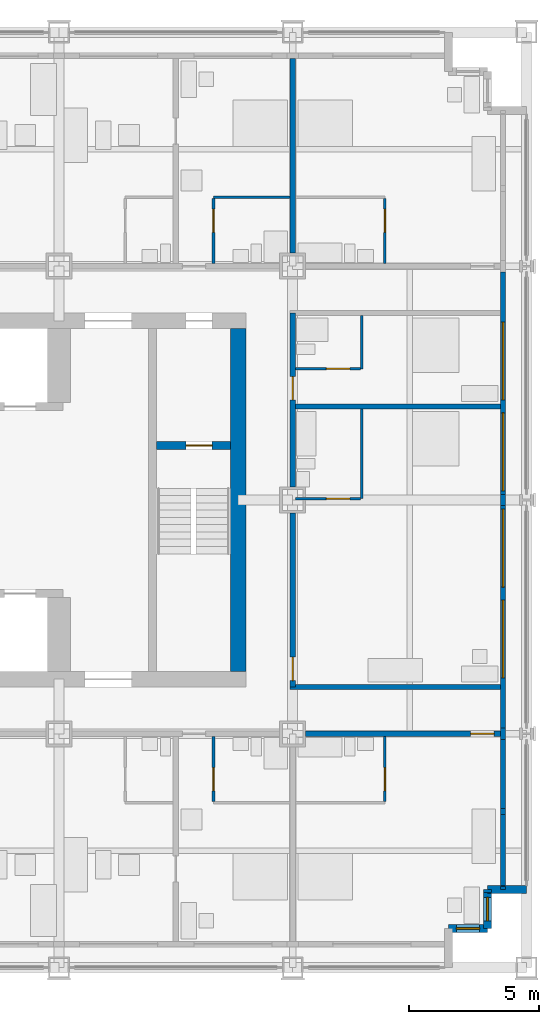
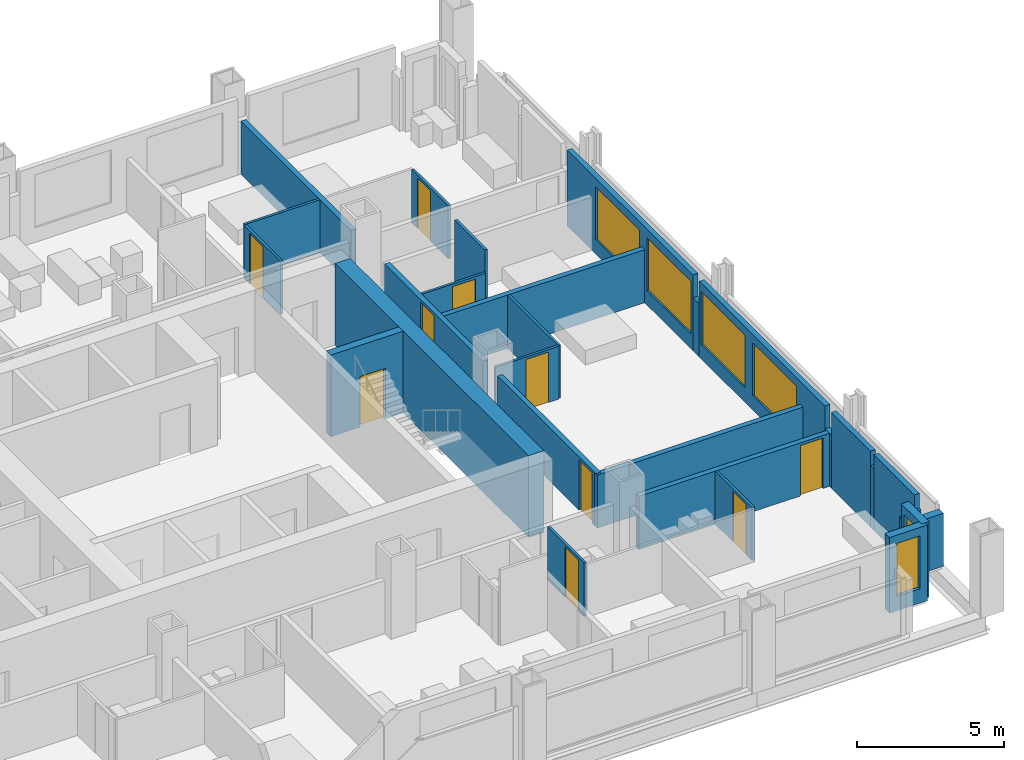
# One storey, part 12 of 17: 29 walls, 10 doors, 6 windows, 16 openings.
"""IFC4 building model written with IfcOpenShell, lengths in metres."""

from ifc_helpers import new_model, si_unit, direction, frame, frame_2d, origin, place, context, subcontext, project, spatial, rectangle, extrude, material, layer, layer_set, type_object, element, fill, save


model = new_model("IFC4")

# Units and contexts
model_context = context("Model", 3, precision=1e-05, world=origin(), true_north=direction((0.0, 1.0)))
body_context = subcontext(model_context, "Body", "Model", "MODEL_VIEW")
ifc_project = project(units=[si_unit("LENGTHUNIT", "METRE"), si_unit("AREAUNIT", "SQUARE_METRE"), si_unit("VOLUMEUNIT", "CUBIC_METRE"), si_unit("PLANEANGLEUNIT", "RADIAN"), si_unit("MASSUNIT", "GRAM", prefix="KILO")], contexts=[model_context])

# Site, building, storey
site_placement = place(None, origin())
site = spatial("IfcSite", under=ifc_project, at=site_placement, CompositionType="ELEMENT")
building_placement = place(site_placement, origin())
building = spatial("IfcBuilding", under=site, at=building_placement, Name="Loomwork Tower", CompositionType="ELEMENT")
storey_placement = place(building_placement, frame((0.0, 0.0, 152.0)))
storey = spatial("IfcBuildingStorey", under=building, at=storey_placement, Name="L41", CompositionType="ELEMENT", Elevation=152.0)

# Wall, opening, door
ifc_material_1 = material(Name="Concrete 14000 psi (97 MPa)", Category="concrete")
ifc_layer_1 = layer(ifc_material_1, 0.300048828125)
ifc_layer_set_1 = layer_set([ifc_layer_1], Name="Core shear wall 300")
wall_type_1 = type_object("IfcWallType", Name="Core shear wall 300", PredefinedType="SHEAR", material=ifc_layer_set_1)
wall_1_placement = place(storey_placement, frame((30.75, 20.10009765625, 0.0), z_axis=(0.0, 0.0, 1.0), x_axis=(1.0, 0.0, 0.0)))
wall_1 = element("IfcWall", 1, at=wall_1_placement, inside=storey, type_object=wall_type_1, Name="Stair B north wall L41", PredefinedType="SHEAR", context=body_context, shape_type="SweptSolid", body=[
    extrude(rectangle(XDim=2.85009765625, YDim=0.300048828125, at=frame_2d((1.425048828125, 0.0))), origin(), (0.0, 0.0, 1.0), 3.39990234375),
])
opening_1_placement = place(wall_1_placement, frame((1.14990234375, 0.0, 0.0)))
opening_1 = element("IfcOpeningElement", 2, at=opening_1_placement, cuts=wall_1, Name="Opening D4", PredefinedType="OPENING", context=body_context, shape_type="SweptSolid", body=[
    extrude(rectangle(XDim=1.0, YDim=2.10009765625, at=frame_2d((0.5, 1.050048828125))), frame((0.0, 0.159912109375, 0.0), z_axis=(0.0, -1.0, 0.0), x_axis=(1.0, 0.0, 0.0)), (0.0, 0.0, 1.0), 0.320068359375),
])
ifc_material_2 = material(Name="Hollow metal door and frame")
door_type_1 = type_object("IfcDoorType", Name="Stair door 1000", OperationType="SINGLE_SWING_RIGHT", PredefinedType="DOOR", material=ifc_material_2)
door_1_placement = place(opening_1_placement, frame((1.0, 0.0, 0.0), z_axis=(0.0, 0.0, 1.0), x_axis=(-1.0, 0.0, 0.0)))
door_1 = element("IfcDoor", 3, at=door_1_placement, inside=storey, type_object=door_type_1, Name="Stair B door", OperationType="SINGLE_SWING_LEFT", OverallHeight=2.10009765625, OverallWidth=1.0, PredefinedType="DOOR", context=body_context, shape_type="SweptSolid", body=[
    extrude(rectangle(XDim=1.0, YDim=2.10009765625, at=frame_2d((0.5, 1.050048828125))), frame((0.0, 0.02490234375, 0.0), z_axis=(0.0, -1.0, 0.0), x_axis=(1.0, 0.0, 0.0)), (0.0, 0.0, 1.0), 0.050048828125),
])
fill(opening_1, door_1)

# Wall
ifc_material_3 = material(Name="Concrete 14000 psi (97 MPa)", Category="concrete")
ifc_layer_2 = layer(ifc_material_3, 0.60009765625)
ifc_layer_set_2 = layer_set([ifc_layer_2], Name="Core shear wall 600")
wall_type_2 = type_object("IfcWallType", Name="Core shear wall 600", PredefinedType="SHEAR", material=ifc_layer_set_2)
wall_2_placement = place(storey_placement, frame((33.89990234375, 11.39990234375, 0.0), z_axis=(0.0, 0.0, 1.0), x_axis=(0.0, 1.0, 0.0)))
element("IfcWall", 4, at=wall_2_placement, inside=storey, type_object=wall_type_2, Name="Core wall east L41", PredefinedType="SHEAR", context=body_context, shape_type="SweptSolid", body=[
    extrude(rectangle(XDim=13.2001953125, YDim=0.60009765625, at=frame_2d((6.60009765625, 0.0))), origin(), (0.0, 0.0, 1.0), 3.39990234375),
])

# Wall, opening, door
ifc_material_4 = material(Name="Gypsum board on steel studs, one-hour", Category="steel")
ifc_layer_3 = layer(ifc_material_4, 0.199951171875)
ifc_layer_set_3 = layer_set([ifc_layer_3], Name="Corridor wall 200")
wall_type_3 = type_object("IfcWallType", Name="Corridor wall 200", PredefinedType="PARTITIONING", material=ifc_layer_set_3)
wall_3_placement = place(storey_placement, frame((36.5, 9.0, 0.0), z_axis=(0.0, 0.0, 1.0), x_axis=(1.0, 0.0, 0.0)))
wall_3 = element("IfcWall", 5, at=wall_3_placement, inside=storey, type_object=wall_type_3, Name="South corridor wall 5", PredefinedType="PARTITIONING", context=body_context, shape_type="SweptSolid", body=[
    extrude(rectangle(XDim=7.5, YDim=0.199951171875, at=frame_2d((3.75, 0.0))), origin(), (0.0, 0.0, 1.0), 2.210205078125),
])
opening_2_placement = place(wall_3_placement, frame((6.35009765625, 0.0, 0.0)))
opening_2 = element("IfcOpeningElement", 6, at=opening_2_placement, cuts=wall_3, Name="Opening D1", PredefinedType="OPENING", context=body_context, shape_type="SweptSolid", body=[
    extrude(rectangle(XDim=0.89990234375, YDim=2.10009765625, at=frame_2d((0.449951171875, 1.050048828125))), frame((0.0, 0.10986328125, 0.0), z_axis=(0.0, -1.0, 0.0), x_axis=(1.0, 0.0, 0.0)), (0.0, 0.0, 1.0), 0.219970703125),
])
ifc_material_5 = material(Name="Hollow metal door and frame")
door_type_2 = type_object("IfcDoorType", Name="Guest room entry door 900", OperationType="SINGLE_SWING_LEFT", PredefinedType="DOOR", material=ifc_material_5)
door_2_placement = place(opening_2_placement, frame((0.89990234375, 0.0, 0.0), z_axis=(0.0, 0.0, 1.0), x_axis=(-1.0, 0.0, 0.0)))
door_2 = element("IfcDoor", 7, at=door_2_placement, inside=storey, type_object=door_type_2, Name="Guest room entry door L41 6", OperationType="SINGLE_SWING_LEFT", OverallHeight=2.10009765625, OverallWidth=0.89990234375, PredefinedType="DOOR", context=body_context, shape_type="SweptSolid", body=[
    extrude(rectangle(XDim=0.89990234375, YDim=2.10009765625, at=frame_2d((0.449951171875, 1.050048828125))), frame((0.0, 0.02490234375, 0.0), z_axis=(0.0, -1.0, 0.0), x_axis=(1.0, 0.0, 0.0)), (0.0, 0.0, 1.0), 0.050048828125),
])
fill(opening_2, door_2)

wall_4_placement = place(storey_placement, frame((36.0, 10.800048828125, 0.0), z_axis=(0.0, 0.0, 1.0), x_axis=(0.0, 1.0, 0.0)))
wall_4 = element("IfcWall", 8, at=wall_4_placement, inside=storey, type_object=wall_type_3, Name="East corridor wall 1", PredefinedType="PARTITIONING", context=body_context, shape_type="SweptSolid", body=[
    extrude(rectangle(XDim=6.699951171875, YDim=0.199951171875, at=frame_2d((3.35009765625, 0.0))), origin(), (0.0, 0.0, 1.0), 2.210205078125),
])
opening_3_placement = place(wall_4_placement, frame((0.25, 0.0, 0.0)))
opening_3 = element("IfcOpeningElement", 9, at=opening_3_placement, cuts=wall_4, Name="Opening D1", PredefinedType="OPENING", context=body_context, shape_type="SweptSolid", body=[
    extrude(rectangle(XDim=0.89990234375, YDim=2.10009765625, at=frame_2d((0.449951171875, 1.050048828125))), frame((0.0, 0.10986328125, 0.0), z_axis=(0.0, -1.0, 0.0), x_axis=(1.0, 0.0, 0.0)), (0.0, 0.0, 1.0), 0.219970703125),
])
door_3_placement = place(opening_3_placement, frame((0.89990234375, 0.0, 0.0), z_axis=(0.0, 0.0, 1.0), x_axis=(-1.0, 0.0, 0.0)))
door_3 = element("IfcDoor", 10, at=door_3_placement, inside=storey, type_object=door_type_2, Name="Guest room entry door L41 15", OperationType="SINGLE_SWING_RIGHT", OverallHeight=2.10009765625, OverallWidth=0.89990234375, PredefinedType="DOOR", context=body_context, shape_type="SweptSolid", body=[
    extrude(rectangle(XDim=0.89990234375, YDim=2.10009765625, at=frame_2d((0.449951171875, 1.050048828125))), frame((0.0, 0.02490234375, 0.0), z_axis=(0.0, -1.0, 0.0), x_axis=(1.0, 0.0, 0.0)), (0.0, 0.0, 1.0), 0.050048828125),
])
fill(opening_3, door_3)

wall_5_placement = place(storey_placement, frame((36.0, 18.5, 0.0), z_axis=(0.0, 0.0, 1.0), x_axis=(0.0, 1.0, 0.0)))
wall_5 = element("IfcWall", 11, at=wall_5_placement, inside=storey, type_object=wall_type_3, Name="East corridor wall 2", PredefinedType="PARTITIONING", context=body_context, shape_type="SweptSolid", body=[
    extrude(rectangle(XDim=6.699951171875, YDim=0.199951171875, at=frame_2d((3.35009765625, 0.0))), origin(), (0.0, 0.0, 1.0), 2.210205078125),
])
opening_4_placement = place(wall_5_placement, frame((3.35009765625, 0.0, 0.0)))
opening_4 = element("IfcOpeningElement", 12, at=opening_4_placement, cuts=wall_5, Name="Opening D1", PredefinedType="OPENING", context=body_context, shape_type="SweptSolid", body=[
    extrude(rectangle(XDim=0.89990234375, YDim=2.10009765625, at=frame_2d((0.449951171875, 1.050048828125))), frame((0.0, 0.10986328125, 0.0), z_axis=(0.0, -1.0, 0.0), x_axis=(1.0, 0.0, 0.0)), (0.0, 0.0, 1.0), 0.219970703125),
])
door_4_placement = place(opening_4_placement, frame((0.89990234375, 0.0, 0.0), z_axis=(0.0, 0.0, 1.0), x_axis=(-1.0, 0.0, 0.0)))
door_4 = element("IfcDoor", 13, at=door_4_placement, inside=storey, type_object=door_type_2, Name="Guest room entry door L41 16", OperationType="SINGLE_SWING_RIGHT", OverallHeight=2.10009765625, OverallWidth=0.89990234375, PredefinedType="DOOR", context=body_context, shape_type="SweptSolid", body=[
    extrude(rectangle(XDim=0.89990234375, YDim=2.10009765625, at=frame_2d((0.449951171875, 1.050048828125))), frame((0.0, 0.02490234375, 0.0), z_axis=(0.0, -1.0, 0.0), x_axis=(1.0, 0.0, 0.0)), (0.0, 0.0, 1.0), 0.050048828125),
])
fill(opening_4, door_4)

# Wall
wall_6_placement = place(storey_placement, frame((35.89990234375, 10.800048828125, 0.0), z_axis=(0.0, 0.0, 1.0), x_axis=(1.0, 0.0, 0.0)))
element("IfcWall", 14, at=wall_6_placement, inside=storey, type_object=wall_type_3, Name="East band end wall S", PredefinedType="PARTITIONING", context=body_context, shape_type="SweptSolid", body=[
    extrude(rectangle(XDim=8.10009765625, YDim=0.199951171875, at=frame_2d((4.050048828125, 0.0))), origin(), (0.0, 0.0, 1.0), 2.2099609375),
])

# Wall, opening, door
ifc_material_6 = material(Name="Cement board on steel studs", Category="steel")
ifc_layer_4 = layer(ifc_material_6, 0.10009765625)
ifc_layer_set_4 = layer_set([ifc_layer_4], Name="En-suite partition 100")
wall_type_4 = type_object("IfcWallType", Name="En-suite partition 100", PredefinedType="PARTITIONING", material=ifc_layer_set_4)
wall_7_placement = place(storey_placement, frame((32.949951171875, 8.89990234375, 0.0), z_axis=(0.0, 0.0, 1.0), x_axis=(0.0, -1.0, 0.0)))
wall_7 = element("IfcWall", 15, at=wall_7_placement, inside=storey, type_object=wall_type_4, Name="En-suite side wall L41 room 5", PredefinedType="PARTITIONING", context=body_context, shape_type="SweptSolid", body=[
    extrude(rectangle(XDim=2.5, YDim=0.10009765625, at=frame_2d((1.25, 0.0))), origin(), (0.0, 0.0, 1.0), 2.2099609375),
])
opening_5_placement = place(wall_7_placement, frame((1.199951171875, 0.0, 0.0)))
opening_5 = element("IfcOpeningElement", 16, at=opening_5_placement, cuts=wall_7, Name="Opening D2", PredefinedType="OPENING", context=body_context, shape_type="SweptSolid", body=[
    extrude(rectangle(XDim=0.89990234375, YDim=2.10009765625, at=frame_2d((0.449951171875, 1.050048828125))), frame((0.0, 0.06005859375, 0.0), z_axis=(0.0, -1.0, 0.0), x_axis=(1.0, 0.0, 0.0)), (0.0, 0.0, 1.0), 0.1201171875),
])
ifc_material_7 = material(Name="Hollow metal door and frame")
door_type_3 = type_object("IfcDoorType", Name="En-suite door 900", OperationType="SINGLE_SWING_LEFT", PredefinedType="DOOR", material=ifc_material_7)
door_5_placement = place(opening_5_placement, origin())
door_5 = element("IfcDoor", 17, at=door_5_placement, inside=storey, type_object=door_type_3, Name="En-suite door room 5", OperationType="SINGLE_SWING_RIGHT", OverallHeight=2.10009765625, OverallWidth=0.89990234375, PredefinedType="DOOR", context=body_context, shape_type="SweptSolid", body=[
    extrude(rectangle(XDim=0.89990234375, YDim=2.10009765625, at=frame_2d((0.449951171875, 1.050048828125))), frame((0.0, 0.02490234375, 0.0), z_axis=(0.0, -1.0, 0.0), x_axis=(1.0, 0.0, 0.0)), (0.0, 0.0, 1.0), 0.050048828125),
])
fill(opening_5, door_5)

wall_8_placement = place(storey_placement, frame((39.550048828125, 8.89990234375, 0.0), z_axis=(0.0, 0.0, 1.0), x_axis=(0.0, -1.0, 0.0)))
wall_8 = element("IfcWall", 18, at=wall_8_placement, inside=storey, type_object=wall_type_4, Name="En-suite side wall L41 room 6", PredefinedType="PARTITIONING", context=body_context, shape_type="SweptSolid", body=[
    extrude(rectangle(XDim=2.5, YDim=0.10009765625, at=frame_2d((1.25, 0.0))), origin(), (0.0, 0.0, 1.0), 2.2099609375),
])
opening_6_placement = place(wall_8_placement, frame((1.199951171875, 0.0, 0.0)))
opening_6 = element("IfcOpeningElement", 19, at=opening_6_placement, cuts=wall_8, Name="Opening D2", PredefinedType="OPENING", context=body_context, shape_type="SweptSolid", body=[
    extrude(rectangle(XDim=0.89990234375, YDim=2.10009765625, at=frame_2d((0.449951171875, 1.050048828125))), frame((0.0, 0.06005859375, 0.0), z_axis=(0.0, -1.0, 0.0), x_axis=(1.0, 0.0, 0.0)), (0.0, 0.0, 1.0), 0.1201171875),
])
door_6_placement = place(opening_6_placement, frame((0.89990234375, 0.0, 0.0), z_axis=(0.0, 0.0, 1.0), x_axis=(-1.0, 0.0, 0.0)))
door_6 = element("IfcDoor", 20, at=door_6_placement, inside=storey, type_object=door_type_3, Name="En-suite door room 6", OperationType="SINGLE_SWING_LEFT", OverallHeight=2.10009765625, OverallWidth=0.89990234375, PredefinedType="DOOR", context=body_context, shape_type="SweptSolid", body=[
    extrude(rectangle(XDim=0.89990234375, YDim=2.10009765625, at=frame_2d((0.449951171875, 1.050048828125))), frame((0.0, 0.02490234375, 0.0), z_axis=(0.0, -1.0, 0.0), x_axis=(1.0, 0.0, 0.0)), (0.0, 0.0, 1.0), 0.050048828125),
])
fill(opening_6, door_6)

# Wall
wall_9_placement = place(storey_placement, frame((32.949951171875, 29.64990234375, 0.0), z_axis=(0.0, 0.0, 1.0), x_axis=(1.0, 0.0, 0.0)))
element("IfcWall", 21, at=wall_9_placement, inside=storey, type_object=wall_type_4, Name="En-suite wall L41 room 11", PredefinedType="PARTITIONING", context=body_context, shape_type="SweptSolid", body=[
    extrude(rectangle(XDim=2.949951171875, YDim=0.10009765625, at=frame_2d((1.47509765625, 0.0))), origin(), (0.0, 0.0, 1.0), 2.2099609375),
])

# Wall, opening, door
wall_10_placement = place(storey_placement, frame((32.949951171875, 27.10009765625, 0.0), z_axis=(0.0, 0.0, 1.0), x_axis=(0.0, 1.0, 0.0)))
wall_10 = element("IfcWall", 22, at=wall_10_placement, inside=storey, type_object=wall_type_4, Name="En-suite side wall L41 room 11", PredefinedType="PARTITIONING", context=body_context, shape_type="SweptSolid", body=[
    extrude(rectangle(XDim=2.5, YDim=0.10009765625, at=frame_2d((1.25, 0.0))), origin(), (0.0, 0.0, 1.0), 2.2099609375),
])
opening_7_placement = place(wall_10_placement, frame((1.199951171875, 0.0, 0.0)))
opening_7 = element("IfcOpeningElement", 23, at=opening_7_placement, cuts=wall_10, Name="Opening D2", PredefinedType="OPENING", context=body_context, shape_type="SweptSolid", body=[
    extrude(rectangle(XDim=0.89990234375, YDim=2.10009765625, at=frame_2d((0.449951171875, 1.050048828125))), frame((0.0, 0.06005859375, 0.0), z_axis=(0.0, -1.0, 0.0), x_axis=(1.0, 0.0, 0.0)), (0.0, 0.0, 1.0), 0.1201171875),
])
door_7_placement = place(opening_7_placement, frame((0.89990234375, 0.0, 0.0), z_axis=(0.0, 0.0, 1.0), x_axis=(-1.0, 0.0, 0.0)))
door_7 = element("IfcDoor", 24, at=door_7_placement, inside=storey, type_object=door_type_3, Name="En-suite door room 11", OperationType="SINGLE_SWING_LEFT", OverallHeight=2.10009765625, OverallWidth=0.89990234375, PredefinedType="DOOR", context=body_context, shape_type="SweptSolid", body=[
    extrude(rectangle(XDim=0.89990234375, YDim=2.10009765625, at=frame_2d((0.449951171875, 1.050048828125))), frame((0.0, 0.02490234375, 0.0), z_axis=(0.0, -1.0, 0.0), x_axis=(1.0, 0.0, 0.0)), (0.0, 0.0, 1.0), 0.050048828125),
])
fill(opening_7, door_7)

wall_11_placement = place(storey_placement, frame((39.550048828125, 27.10009765625, 0.0), z_axis=(0.0, 0.0, 1.0), x_axis=(0.0, 1.0, 0.0)))
wall_11 = element("IfcWall", 25, at=wall_11_placement, inside=storey, type_object=wall_type_4, Name="En-suite side wall L41 room 12", PredefinedType="PARTITIONING", context=body_context, shape_type="SweptSolid", body=[
    extrude(rectangle(XDim=2.5, YDim=0.10009765625, at=frame_2d((1.25, 0.0))), origin(), (0.0, 0.0, 1.0), 2.2099609375),
])
opening_8_placement = place(wall_11_placement, frame((1.199951171875, 0.0, 0.0)))
opening_8 = element("IfcOpeningElement", 26, at=opening_8_placement, cuts=wall_11, Name="Opening D2", PredefinedType="OPENING", context=body_context, shape_type="SweptSolid", body=[
    extrude(rectangle(XDim=0.89990234375, YDim=2.10009765625, at=frame_2d((0.449951171875, 1.050048828125))), frame((0.0, 0.06005859375, 0.0), z_axis=(0.0, -1.0, 0.0), x_axis=(1.0, 0.0, 0.0)), (0.0, 0.0, 1.0), 0.1201171875),
])
door_8_placement = place(opening_8_placement, origin())
door_8 = element("IfcDoor", 27, at=door_8_placement, inside=storey, type_object=door_type_3, Name="En-suite door room 12", OperationType="SINGLE_SWING_RIGHT", OverallHeight=2.10009765625, OverallWidth=0.89990234375, PredefinedType="DOOR", context=body_context, shape_type="SweptSolid", body=[
    extrude(rectangle(XDim=0.89990234375, YDim=2.10009765625, at=frame_2d((0.449951171875, 1.050048828125))), frame((0.0, 0.02490234375, 0.0), z_axis=(0.0, -1.0, 0.0), x_axis=(1.0, 0.0, 0.0)), (0.0, 0.0, 1.0), 0.050048828125),
])
fill(opening_8, door_8)

# Wall
wall_12_placement = place(storey_placement, frame((38.64990234375, 18.050048828125, 0.0), z_axis=(0.0, 0.0, 1.0), x_axis=(0.0, 1.0, 0.0)))
element("IfcWall", 28, at=wall_12_placement, inside=storey, type_object=wall_type_4, Name="En-suite wall L41 room 15", PredefinedType="PARTITIONING", context=body_context, shape_type="SweptSolid", body=[
    extrude(rectangle(XDim=3.449951171875, YDim=0.10009765625, at=frame_2d((1.72509765625, 0.0))), origin(), (0.0, 0.0, 1.0), 2.201904296875),
])

# Wall, opening, door
wall_13_placement = place(storey_placement, frame((36.10009765625, 18.050048828125, 0.0), z_axis=(0.0, 0.0, 1.0), x_axis=(1.0, 0.0, 0.0)))
wall_13 = element("IfcWall", 29, at=wall_13_placement, inside=storey, type_object=wall_type_4, Name="En-suite side wall L41 room 15", PredefinedType="PARTITIONING", context=body_context, shape_type="SweptSolid", body=[
    extrude(rectangle(XDim=2.5, YDim=0.10009765625, at=frame_2d((1.25, 0.0))), origin(), (0.0, 0.0, 1.0), 2.20263671875),
])
opening_9_placement = place(wall_13_placement, frame((1.199951171875, 0.0, 0.0)))
opening_9 = element("IfcOpeningElement", 30, at=opening_9_placement, cuts=wall_13, Name="Opening D2", PredefinedType="OPENING", context=body_context, shape_type="SweptSolid", body=[
    extrude(rectangle(XDim=0.89990234375, YDim=2.10009765625, at=frame_2d((0.449951171875, 1.050048828125))), frame((0.0, 0.06005859375, 0.0), z_axis=(0.0, -1.0, 0.0), x_axis=(1.0, 0.0, 0.0)), (0.0, 0.0, 1.0), 0.1201171875),
])
door_9_placement = place(opening_9_placement, origin())
door_9 = element("IfcDoor", 31, at=door_9_placement, inside=storey, type_object=door_type_3, Name="En-suite door room 15", OperationType="SINGLE_SWING_RIGHT", OverallHeight=2.10009765625, OverallWidth=0.89990234375, PredefinedType="DOOR", context=body_context, shape_type="SweptSolid", body=[
    extrude(rectangle(XDim=0.89990234375, YDim=2.10009765625, at=frame_2d((0.449951171875, 1.050048828125))), frame((0.0, 0.02490234375, 0.0), z_axis=(0.0, -1.0, 0.0), x_axis=(1.0, 0.0, 0.0)), (0.0, 0.0, 1.0), 0.050048828125),
])
fill(opening_9, door_9)

# Wall
wall_14_placement = place(storey_placement, frame((38.64990234375, 23.050048828125, 0.0), z_axis=(0.0, 0.0, 1.0), x_axis=(0.0, 1.0, 0.0)))
element("IfcWall", 32, at=wall_14_placement, inside=storey, type_object=wall_type_4, Name="En-suite wall L41 room 16", PredefinedType="PARTITIONING", context=body_context, shape_type="SweptSolid", body=[
    extrude(rectangle(XDim=2.050048828125, YDim=0.10009765625, at=frame_2d((1.02490234375, 0.0))), origin(), (0.0, 0.0, 1.0), 3.14990234375),
])

# Wall, opening, door
wall_15_placement = place(storey_placement, frame((36.10009765625, 23.050048828125, 0.0), z_axis=(0.0, 0.0, 1.0), x_axis=(1.0, 0.0, 0.0)))
wall_15 = element("IfcWall", 33, at=wall_15_placement, inside=storey, type_object=wall_type_4, Name="En-suite side wall L41 room 16", PredefinedType="PARTITIONING", context=body_context, shape_type="SweptSolid", body=[
    extrude(rectangle(XDim=2.5, YDim=0.10009765625, at=frame_2d((1.25, 0.0))), origin(), (0.0, 0.0, 1.0), 2.2099609375),
])
opening_10_placement = place(wall_15_placement, frame((1.199951171875, 0.0, 0.0)))
opening_10 = element("IfcOpeningElement", 34, at=opening_10_placement, cuts=wall_15, Name="Opening D3", PredefinedType="OPENING", context=body_context, shape_type="SweptSolid", body=[
    extrude(rectangle(XDim=0.89990234375, YDim=2.10009765625, at=frame_2d((0.449951171875, 1.050048828125))), frame((0.0, 0.06005859375, 0.0), z_axis=(0.0, -1.0, 0.0), x_axis=(1.0, 0.0, 0.0)), (0.0, 0.0, 1.0), 0.1201171875),
])
ifc_material_8 = material(Name="Hollow metal door and frame")
door_type_4 = type_object("IfcDoorType", Name="Accessible en-suite door 900", OperationType="SLIDING_TO_LEFT", PredefinedType="DOOR", material=ifc_material_8)
door_10_placement = place(opening_10_placement, origin())
door_10 = element("IfcDoor", 35, at=door_10_placement, inside=storey, type_object=door_type_4, Name="Accessible en-suite door room 16", OperationType="SLIDING_TO_LEFT", OverallHeight=2.10009765625, OverallWidth=0.89990234375, PredefinedType="DOOR", context=body_context, shape_type="SweptSolid", body=[
    extrude(rectangle(XDim=0.89990234375, YDim=2.10009765625, at=frame_2d((0.449951171875, 1.050048828125))), frame((0.0, 0.02490234375, 0.0), z_axis=(0.0, -1.0, 0.0), x_axis=(1.0, 0.0, 0.0)), (0.0, 0.0, 1.0), 0.050048828125),
])
fill(opening_10, door_10)

# Walls
ifc_material_9 = material(Name="Gypsum board on steel studs, acoustic", Category="steel")
ifc_layer_5 = layer(ifc_material_9, 0.199951171875)
ifc_layer_set_5 = layer_set([ifc_layer_5], Name="Guest room party wall 200")
wall_type_5 = type_object("IfcWallType", Name="Guest room party wall 200", PredefinedType="PARTITIONING", material=ifc_layer_set_5)
wall_16_placement = place(storey_placement, frame((36.0, 27.5, 0.0), z_axis=(0.0, 0.0, 1.0), x_axis=(0.0, 1.0, 0.0)))
element("IfcWall", 36, at=wall_16_placement, inside=storey, type_object=wall_type_5, Name="Guest room party wall N 36", PredefinedType="PARTITIONING", context=body_context, shape_type="SweptSolid", body=[
    extrude(rectangle(XDim=7.5, YDim=0.199951171875, at=frame_2d((3.75, 0.0))), origin(), (0.0, 0.0, 1.0), 2.210205078125),
])
wall_17_placement = place(storey_placement, frame((36.10009765625, 21.60009765625, 0.0), z_axis=(0.0, 0.0, 1.0), x_axis=(1.0, 0.0, 0.0)))
element("IfcWall", 37, at=wall_17_placement, inside=storey, type_object=wall_type_5, Name="Guest room party wall E 21.6", PredefinedType="PARTITIONING", context=body_context, shape_type="SweptSolid", body=[
    extrude(rectangle(XDim=7.89990234375, YDim=0.199951171875, at=frame_2d((3.949951171875, 0.0))), origin(), (0.0, 0.0, 1.0), 2.2099609375),
])
ifc_material_10 = material(Name="Insulated steel stud wall with gypsum lining", Category="steel")
ifc_layer_6 = layer(ifc_material_10, 0.199951171875)
ifc_layer_set_6 = layer_set([ifc_layer_6], Name="Inner skin wall 200")
wall_type_6 = type_object("IfcWallType", Name="Inner skin wall 200", PredefinedType="SOLIDWALL", material=ifc_layer_set_6)
wall_18_placement = place(storey_placement, frame((44.10009765625, 3.0, 0.0), z_axis=(0.0, 0.0, 1.0), x_axis=(0.0, 1.0, 0.0)))
element("IfcWall", 38, at=wall_18_placement, inside=storey, type_object=wall_type_6, Name="Inner skin wall E", PredefinedType="SOLIDWALL", context=body_context, shape_type="SweptSolid", body=[
    extrude(rectangle(XDim=0.1162109375, YDim=0.199951171875, at=frame_2d((0.05810546875, 0.0))), origin(), (0.0, 0.0, 1.0), 2.5419921875),
])
wall_19_placement = place(storey_placement, frame((44.10009765625, 3.1162109375, 0.0), z_axis=(0.0, 0.0, 1.0), x_axis=(0.0, 1.0, 0.0)))
element("IfcWall", 39, at=wall_19_placement, inside=storey, type_object=wall_type_6, Name="Inner skin wall E bay 2", PredefinedType="SOLIDWALL", context=body_context, shape_type="SweptSolid", body=[
    extrude(rectangle(XDim=2.767578125, YDim=0.199951171875, at=frame_2d((1.3837890625, 0.0))), origin(), (0.0, 0.0, 1.0), 3.14990234375),
])
wall_20_placement = place(storey_placement, frame((44.10009765625, 5.8837890625, 0.0), z_axis=(0.0, 0.0, 1.0), x_axis=(0.0, 1.0, 0.0)))
element("IfcWall", 40, at=wall_20_placement, inside=storey, type_object=wall_type_6, Name="Inner skin wall E bay 3", PredefinedType="SOLIDWALL", context=body_context, shape_type="SweptSolid", body=[
    extrude(rectangle(XDim=0.232421875, YDim=0.199951171875, at=frame_2d((0.1162109375, 0.0))), origin(), (0.0, 0.0, 1.0), 2.5419921875),
])
wall_21_placement = place(storey_placement, frame((44.10009765625, 6.1162109375, 0.0), z_axis=(0.0, 0.0, 1.0), x_axis=(0.0, 1.0, 0.0)))
element("IfcWall", 41, at=wall_21_placement, inside=storey, type_object=wall_type_6, Name="Inner skin wall E bay 4", PredefinedType="SOLIDWALL", context=body_context, shape_type="SweptSolid", body=[
    extrude(rectangle(XDim=2.66845703125, YDim=0.199951171875, at=frame_2d((1.334228515625, 0.0))), origin(), (0.0, 0.0, 1.0), 3.14990234375),
])
wall_22_placement = place(storey_placement, frame((44.10009765625, 8.78466796875, 0.0), z_axis=(0.0, 0.0, 1.0), x_axis=(0.0, 1.0, 0.0)))
element("IfcWall", 42, at=wall_22_placement, inside=storey, type_object=wall_type_6, Name="Inner skin wall E bay 5", PredefinedType="SOLIDWALL", context=body_context, shape_type="SweptSolid", body=[
    extrude(rectangle(XDim=0.4306640625, YDim=0.199951171875, at=frame_2d((0.21533203125, 0.0))), origin(), (0.0, 0.0, 1.0), 2.2099609375),
])

# Wall, openings, windows
wall_23_placement = place(storey_placement, frame((44.10009765625, 9.21533203125, 0.0), z_axis=(0.0, 0.0, 1.0), x_axis=(0.0, 1.0, 0.0)))
wall_23 = element("IfcWall", 43, at=wall_23_placement, inside=storey, type_object=wall_type_6, Name="Inner skin wall E bay 6", PredefinedType="SOLIDWALL", context=body_context, shape_type="SweptSolid", body=[
    extrude(rectangle(XDim=8.570556640625, YDim=0.199951171875, at=frame_2d((4.28515625, 0.0))), origin(), (0.0, 0.0, 1.0), 3.14990234375),
])
opening_11_placement = place(wall_23_placement, frame((1.9345703125, 0.0, 0.60009765625)))
opening_11 = element("IfcOpeningElement", 44, at=opening_11_placement, cuts=wall_23, Name="Opening CH1", PredefinedType="OPENING", context=body_context, shape_type="SweptSolid", body=[
    extrude(rectangle(XDim=3.0, YDim=2.199951171875, at=frame_2d((1.5, 1.10009765625))), frame((0.0, 0.10986328125, 0.0), z_axis=(0.0, -1.0, 0.0), x_axis=(1.0, 0.0, 0.0)), (0.0, 0.0, 1.0), 0.219970703125),
])
opening_12_placement = place(wall_23_placement, frame((5.4345703125, 0.0, 0.60009765625)))
opening_12 = element("IfcOpeningElement", 45, at=opening_12_placement, cuts=wall_23, Name="Opening CH1", PredefinedType="OPENING", context=body_context, shape_type="SweptSolid", body=[
    extrude(rectangle(XDim=3.0, YDim=2.199951171875, at=frame_2d((1.5, 1.10009765625))), frame((0.0, 0.10986328125, 0.0), z_axis=(0.0, -1.0, 0.0), x_axis=(1.0, 0.0, 0.0)), (0.0, 0.0, 1.0), 0.219970703125),
])
ifc_material_11 = material(Name="Aluminium frame with clear insulated glass", Category="aluminium")
window_type_1 = type_object("IfcWindowType", Name="Chicago window 3000", PartitioningType="TRIPLE_PANEL_VERTICAL", PredefinedType="WINDOW", material=ifc_material_11)
window_1_placement = place(opening_11_placement, origin())
window_1 = element("IfcWindow", 46, at=window_1_placement, inside=storey, type_object=window_type_1, Name="Chicago window L41 bay 13", OverallHeight=2.199951171875, OverallWidth=3.0, PartitioningType="TRIPLE_PANEL_VERTICAL", PredefinedType="WINDOW", context=body_context, shape_type="SweptSolid", body=[
    extrude(rectangle(XDim=3.0, YDim=2.199951171875, at=frame_2d((1.5, 1.10009765625))), frame((0.0, 0.030029296875, 0.0), z_axis=(0.0, -1.0, 0.0), x_axis=(1.0, 0.0, 0.0)), (0.0, 0.0, 1.0), 0.06005859375),
])
fill(opening_11, window_1)
window_2_placement = place(opening_12_placement, origin())
window_2 = element("IfcWindow", 47, at=window_2_placement, inside=storey, type_object=window_type_1, Name="Chicago window L41 bay 13", OverallHeight=2.199951171875, OverallWidth=3.0, PartitioningType="TRIPLE_PANEL_VERTICAL", PredefinedType="WINDOW", context=body_context, shape_type="SweptSolid", body=[
    extrude(rectangle(XDim=3.0, YDim=2.199951171875, at=frame_2d((1.5, 1.10009765625))), frame((0.0, 0.030029296875, 0.0), z_axis=(0.0, -1.0, 0.0), x_axis=(1.0, 0.0, 0.0)), (0.0, 0.0, 1.0), 0.06005859375),
])
fill(opening_12, window_2)

# Wall
wall_24_placement = place(storey_placement, frame((44.10009765625, 17.785888671875, 0.0), z_axis=(0.0, 0.0, 1.0), x_axis=(0.0, 1.0, 0.0)))
element("IfcWall", 48, at=wall_24_placement, inside=storey, type_object=wall_type_6, Name="Inner skin wall E bay 7", PredefinedType="SOLIDWALL", context=body_context, shape_type="SweptSolid", body=[
    extrude(rectangle(XDim=0.42822265625, YDim=0.199951171875, at=frame_2d((0.214111328125, 0.0))), origin(), (0.0, 0.0, 1.0), 2.201904296875),
])

# Wall, openings, windows
wall_25_placement = place(storey_placement, frame((44.10009765625, 18.214111328125, 0.0), z_axis=(0.0, 0.0, 1.0), x_axis=(0.0, 1.0, 0.0)))
wall_25 = element("IfcWall", 49, at=wall_25_placement, inside=storey, type_object=wall_type_6, Name="Inner skin wall E bay 8", PredefinedType="SOLIDWALL", context=body_context, shape_type="SweptSolid", body=[
    extrude(rectangle(XDim=8.570556640625, YDim=0.199951171875, at=frame_2d((4.28515625, 0.0))), origin(), (0.0, 0.0, 1.0), 3.14990234375),
])
opening_13_placement = place(wall_25_placement, frame((0.135986328125, 0.0, 0.60009765625)))
opening_13 = element("IfcOpeningElement", 50, at=opening_13_placement, cuts=wall_25, Name="Opening CH1", PredefinedType="OPENING", context=body_context, shape_type="SweptSolid", body=[
    extrude(rectangle(XDim=3.0, YDim=2.199951171875, at=frame_2d((1.5, 1.10009765625))), frame((0.0, 0.10986328125, 0.0), z_axis=(0.0, -1.0, 0.0), x_axis=(1.0, 0.0, 0.0)), (0.0, 0.0, 1.0), 0.219970703125),
])
opening_14_placement = place(wall_25_placement, frame((3.635986328125, 0.0, 0.60009765625)))
opening_14 = element("IfcOpeningElement", 51, at=opening_14_placement, cuts=wall_25, Name="Opening CH1", PredefinedType="OPENING", context=body_context, shape_type="SweptSolid", body=[
    extrude(rectangle(XDim=3.0, YDim=2.199951171875, at=frame_2d((1.5, 1.10009765625))), frame((0.0, 0.10986328125, 0.0), z_axis=(0.0, -1.0, 0.0), x_axis=(1.0, 0.0, 0.0)), (0.0, 0.0, 1.0), 0.219970703125),
])
window_3_placement = place(opening_13_placement, origin())
window_3 = element("IfcWindow", 52, at=window_3_placement, inside=storey, type_object=window_type_1, Name="Chicago window L41 bay 14", OverallHeight=2.199951171875, OverallWidth=3.0, PartitioningType="TRIPLE_PANEL_VERTICAL", PredefinedType="WINDOW", context=body_context, shape_type="SweptSolid", body=[
    extrude(rectangle(XDim=3.0, YDim=2.199951171875, at=frame_2d((1.5, 1.10009765625))), frame((0.0, 0.030029296875, 0.0), z_axis=(0.0, -1.0, 0.0), x_axis=(1.0, 0.0, 0.0)), (0.0, 0.0, 1.0), 0.06005859375),
])
fill(opening_13, window_3)
window_4_placement = place(opening_14_placement, origin())
window_4 = element("IfcWindow", 53, at=window_4_placement, inside=storey, type_object=window_type_1, Name="Chicago window L41 bay 14", OverallHeight=2.199951171875, OverallWidth=3.0, PartitioningType="TRIPLE_PANEL_VERTICAL", PredefinedType="WINDOW", context=body_context, shape_type="SweptSolid", body=[
    extrude(rectangle(XDim=3.0, YDim=2.199951171875, at=frame_2d((1.5, 1.10009765625))), frame((0.0, 0.030029296875, 0.0), z_axis=(0.0, -1.0, 0.0), x_axis=(1.0, 0.0, 0.0)), (0.0, 0.0, 1.0), 0.06005859375),
])
fill(opening_14, window_4)

# Wall, opening, window
ifc_material_12 = material(Name="Limestone on concrete masonry", Category="masonry")
ifc_layer_7 = layer(ifc_material_12, 0.300048828125)
ifc_layer_set_7 = layer_set([ifc_layer_7], Name="Limestone corner wall 300")
wall_type_7 = type_object("IfcWallType", Name="Limestone corner wall 300", PredefinedType="SOLIDWALL", material=ifc_layer_set_7)
wall_26_placement = place(storey_placement, frame((42.0, 1.5, 0.0), z_axis=(0.0, 0.0, 1.0), x_axis=(1.0, 0.0, 0.0)))
wall_26 = element("IfcWall", 54, at=wall_26_placement, inside=storey, type_object=wall_type_7, Name="Stone corner wall SE 2", PredefinedType="SOLIDWALL", context=body_context, shape_type="SweptSolid", body=[
    extrude(rectangle(XDim=1.5, YDim=0.300048828125, at=frame_2d((0.75, 0.0))), origin(), (0.0, 0.0, 1.0), 3.14990234375),
])
opening_15_placement = place(wall_26_placement, frame((0.300048828125, 0.0, 0.60009765625)))
opening_15 = element("IfcOpeningElement", 55, at=opening_15_placement, cuts=wall_26, Name="Opening CH2", PredefinedType="OPENING", context=body_context, shape_type="SweptSolid", body=[
    extrude(rectangle(XDim=0.89990234375, YDim=2.199951171875, at=frame_2d((0.449951171875, 1.10009765625))), frame((0.0, 0.159912109375, 0.0), z_axis=(0.0, -1.0, 0.0), x_axis=(1.0, 0.0, 0.0)), (0.0, 0.0, 1.0), 0.320068359375),
])
ifc_material_13 = material(Name="Aluminium frame with clear insulated glass", Category="aluminium")
window_type_2 = type_object("IfcWindowType", Name="Corner window 900", PartitioningType="SINGLE_PANEL", PredefinedType="WINDOW", material=ifc_material_13)
window_5_placement = place(opening_15_placement, origin())
window_5 = element("IfcWindow", 56, at=window_5_placement, inside=storey, type_object=window_type_2, Name="Corner window SE", OverallHeight=2.199951171875, OverallWidth=0.89990234375, PartitioningType="SINGLE_PANEL", PredefinedType="WINDOW", context=body_context, shape_type="SweptSolid", body=[
    extrude(rectangle(XDim=0.89990234375, YDim=2.199951171875, at=frame_2d((0.449951171875, 1.10009765625))), frame((0.0, 0.030029296875, 0.0), z_axis=(0.0, -1.0, 0.0), x_axis=(1.0, 0.0, 0.0)), (0.0, 0.0, 1.0), 0.06005859375),
])
fill(opening_15, window_5)

wall_27_placement = place(storey_placement, frame((43.5, 1.5, 0.0), z_axis=(0.0, 0.0, 1.0), x_axis=(0.0, 1.0, 0.0)))
wall_27 = element("IfcWall", 57, at=wall_27_placement, inside=storey, type_object=wall_type_7, Name="Stone corner wall SE 3", PredefinedType="SOLIDWALL", context=body_context, shape_type="SweptSolid", body=[
    extrude(rectangle(XDim=1.3837890625, YDim=0.300048828125, at=frame_2d((0.69189453125, 0.0))), origin(), (0.0, 0.0, 1.0), 3.14990234375),
])
opening_16_placement = place(wall_27_placement, frame((0.300048828125, 0.0, 0.60009765625)))
opening_16 = element("IfcOpeningElement", 58, at=opening_16_placement, cuts=wall_27, Name="Opening CH2", PredefinedType="OPENING", context=body_context, shape_type="SweptSolid", body=[
    extrude(rectangle(XDim=0.89990234375, YDim=2.199951171875, at=frame_2d((0.449951171875, 1.10009765625))), frame((0.0, 0.159912109375, 0.0), z_axis=(0.0, -1.0, 0.0), x_axis=(1.0, 0.0, 0.0)), (0.0, 0.0, 1.0), 0.320068359375),
])
window_6_placement = place(opening_16_placement, origin())
window_6 = element("IfcWindow", 59, at=window_6_placement, inside=storey, type_object=window_type_2, Name="Corner window SE", OverallHeight=2.199951171875, OverallWidth=0.89990234375, PartitioningType="SINGLE_PANEL", PredefinedType="WINDOW", context=body_context, shape_type="SweptSolid", body=[
    extrude(rectangle(XDim=0.89990234375, YDim=2.199951171875, at=frame_2d((0.449951171875, 1.10009765625))), frame((0.0, 0.030029296875, 0.0), z_axis=(0.0, -1.0, 0.0), x_axis=(1.0, 0.0, 0.0)), (0.0, 0.0, 1.0), 0.06005859375),
])
fill(opening_16, window_6)

# Walls
wall_28_placement = place(storey_placement, frame((43.5, 3.0, 0.0), z_axis=(0.0, 0.0, 1.0), x_axis=(1.0, 0.0, 0.0)))
element("IfcWall", 60, at=wall_28_placement, inside=storey, type_object=wall_type_7, Name="Stone corner wall SE 4", PredefinedType="SOLIDWALL", context=body_context, shape_type="SweptSolid", body=[
    extrude(rectangle(XDim=1.5, YDim=0.300048828125, at=frame_2d((0.75, 0.0))), origin(), (0.0, 0.0, 1.0), 2.201904296875),
])
wall_29_placement = place(storey_placement, frame((43.5, 2.8837890625, 0.0), z_axis=(0.0, 0.0, 1.0), x_axis=(0.0, 1.0, 0.0)))
element("IfcWall", 61, at=wall_29_placement, inside=storey, type_object=wall_type_7, Name="Stone corner wall SE 3 bay 2", PredefinedType="SOLIDWALL", context=body_context, shape_type="SweptSolid", body=[
    extrude(rectangle(XDim=0.1162109375, YDim=0.300048828125, at=frame_2d((0.05810546875, 0.0))), origin(), (0.0, 0.0, 1.0), 2.5419921875),
])

save(model, "model.ifc")
